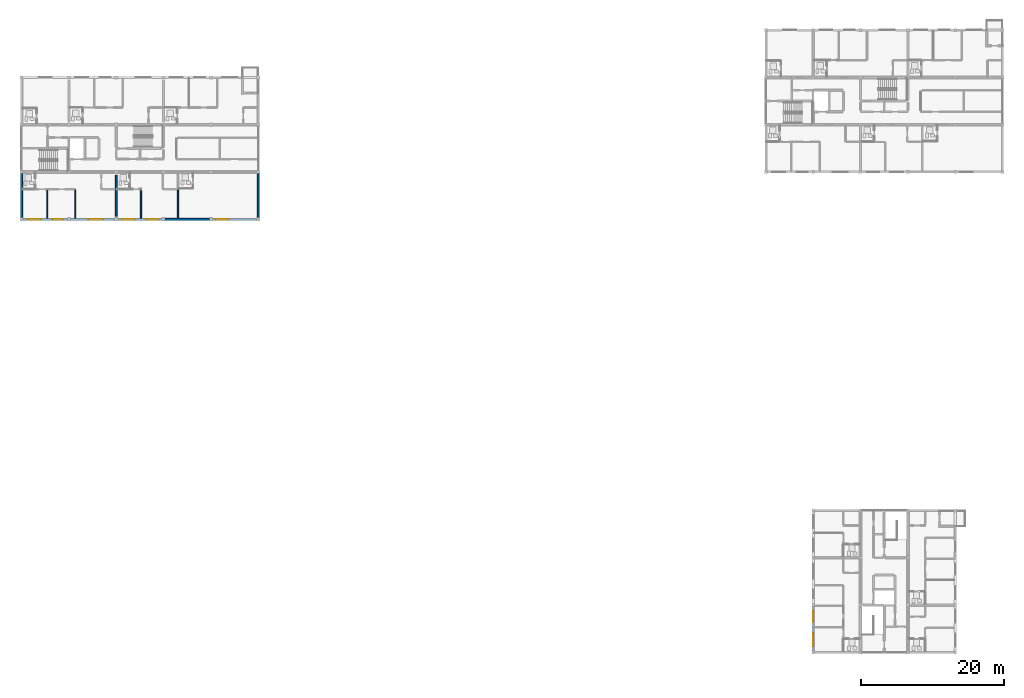
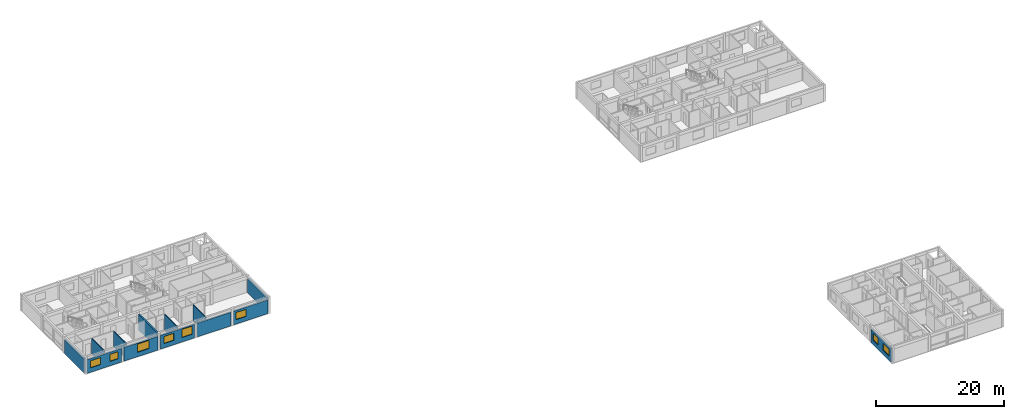
# One storey, part 17 of 34: 13 walls, 8 windows, 8 openings.
"""IFC4 building model written with IfcOpenShell, lengths in metres."""

from ifc_helpers import new_model, si_unit, direction, frame, frame_2d, origin, place, context, subcontext, project, spatial, rectangle, extrude, material, layer, layer_set, type_object, element, fill, save


model = new_model("IFC4")

# Units and contexts
model_context = context("Model", 3, precision=1e-05, world=origin(), true_north=direction((0.0, 1.0)))
body_context = subcontext(model_context, "Body", "Model", "MODEL_VIEW")
ifc_project = project(units=[si_unit("LENGTHUNIT", "METRE"), si_unit("AREAUNIT", "SQUARE_METRE"), si_unit("VOLUMEUNIT", "CUBIC_METRE"), si_unit("PLANEANGLEUNIT", "RADIAN"), si_unit("MASSUNIT", "GRAM", prefix="KILO")], contexts=[model_context])

# Site, building, storey
site_placement = place(None, origin())
site = spatial("IfcSite", under=ifc_project, at=site_placement, CompositionType="ELEMENT")
building_placement = place(site_placement, origin())
building = spatial("IfcBuilding", under=site, at=building_placement, Name="Kernevlak Ridge Housing Community", CompositionType="ELEMENT")
storey_placement = place(building_placement, frame((0.0, 0.0, 40.39990234375)))
storey = spatial("IfcBuildingStorey", under=building, at=storey_placement, Name="L12", CompositionType="ELEMENT", Elevation=40.39990234375)

# Wall, openings, windows
ifc_material_1 = material(Name="Concrete block masonry M10", Category="masonry")
ifc_layer_1 = layer(ifc_material_1, 0.260009765625, Name="Concrete block masonry M10")
ifc_layer_set_1 = layer_set([ifc_layer_1], Name="Concrete block masonry M10")
wall_type_1 = type_object("IfcWallType", Name="EW-05", PredefinedType="STANDARD", material=ifc_layer_set_1)
wall_1_placement = place(storey_placement, frame((15.824951171875, 76.0, 0.0), z_axis=(0.0, 0.0, 1.0), x_axis=(1.0, 0.0, 0.0)))
wall_1 = element("IfcWall", 1, at=wall_1_placement, inside=storey, type_object=wall_type_1, Name="Exterior wall EW-05 L12 189", PredefinedType="STANDARD", context=body_context, shape_type="SweptSolid", body=[
    extrude(rectangle(XDim=6.150146484375, YDim=0.260009765625, at=frame_2d((3.0751953125, 0.0))), origin(), (0.0, 0.0, 1.0), 2.60009765625),
])
opening_1_placement = place(wall_1_placement, frame((0.64990234375, 0.0, 0.85009765625)))
opening_1 = element("IfcOpeningElement", 2, at=opening_1_placement, cuts=wall_1, Name="Opening WT-03", PredefinedType="OPENING", context=body_context, shape_type="SweptSolid", body=[
    extrude(rectangle(XDim=1.800048828125, YDim=1.35009765625, at=frame_2d((0.89990234375, 0.675048828125))), frame((0.0, 0.139892578125, 0.0), z_axis=(0.0, -1.0, 0.0), x_axis=(1.0, 0.0, 0.0)), (0.0, 0.0, 1.0), 0.280029296875),
])
opening_2_placement = place(wall_1_placement, frame((4.074951171875, 0.0, 0.85009765625)))
opening_2 = element("IfcOpeningElement", 3, at=opening_2_placement, cuts=wall_1, Name="Opening WT-02", PredefinedType="OPENING", context=body_context, shape_type="SweptSolid", body=[
    extrude(rectangle(XDim=1.5, YDim=1.35009765625, at=frame_2d((0.75, 0.675048828125))), frame((0.0, 0.139892578125, 0.0), z_axis=(0.0, -1.0, 0.0), x_axis=(1.0, 0.0, 0.0)), (0.0, 0.0, 1.0), 0.280029296875),
])
ifc_material_2 = material(Name="Aluminium EN AW-6060 anodised and laminated glass", Category="aluminium")
window_type_1 = type_object("IfcWindowType", Name="WT-02", PartitioningType="SINGLE_PANEL", PredefinedType="WINDOW", material=ifc_material_2)
window_1_placement = place(opening_2_placement, origin())
window_1 = element("IfcWindow", 4, at=window_1_placement, inside=storey, type_object=window_type_1, Name="Window WT-02 L12 149", OverallHeight=1.35009765625, OverallWidth=1.5, PartitioningType="SINGLE_PANEL", PredefinedType="WINDOW", context=body_context, shape_type="SweptSolid", body=[
    extrude(rectangle(XDim=1.5, YDim=1.35009765625, at=frame_2d((0.75, 0.675048828125))), frame((0.0, 0.030029296875, 0.0), z_axis=(0.0, -1.0, 0.0), x_axis=(1.0, 0.0, 0.0)), (0.0, 0.0, 1.0), 0.06005859375),
])
fill(opening_2, window_1)
window_type_2 = type_object("IfcWindowType", Name="WT-03", PartitioningType="SINGLE_PANEL", PredefinedType="WINDOW", material=ifc_material_2)
window_2_placement = place(opening_1_placement, origin())
window_2 = element("IfcWindow", 5, at=window_2_placement, inside=storey, type_object=window_type_2, Name="Window WT-03 L12 148", OverallHeight=1.35009765625, OverallWidth=1.800048828125, PartitioningType="SINGLE_PANEL", PredefinedType="WINDOW", context=body_context, shape_type="SweptSolid", body=[
    extrude(rectangle(XDim=1.800048828125, YDim=1.35009765625, at=frame_2d((0.89990234375, 0.675048828125))), frame((0.0, 0.030029296875, 0.0), z_axis=(0.0, -1.0, 0.0), x_axis=(1.0, 0.0, 0.0)), (0.0, 0.0, 1.0), 0.06005859375),
])
fill(opening_1, window_2)

# Wall, opening, window
wall_2_placement = place(storey_placement, frame((22.425048828125, 76.0, 0.0), z_axis=(0.0, 0.0, 1.0), x_axis=(1.0, 0.0, 0.0)))
wall_2 = element("IfcWall", 6, at=wall_2_placement, inside=storey, type_object=wall_type_1, Name="Exterior wall EW-05 L12 190", PredefinedType="STANDARD", context=body_context, shape_type="SweptSolid", body=[
    extrude(rectangle(XDim=6.14990234375, YDim=0.260009765625, at=frame_2d((3.074951171875, 0.0))), origin(), (0.0, 0.0, 1.0), 2.60009765625),
])
opening_3_placement = place(wall_2_placement, frame((2.470947265625, 0.0, 0.85009765625)))
opening_3 = element("IfcOpeningElement", 7, at=opening_3_placement, cuts=wall_2, Name="Opening WT-05", PredefinedType="OPENING", context=body_context, shape_type="SweptSolid", body=[
    extrude(rectangle(XDim=2.10009765625, YDim=1.550048828125, at=frame_2d((1.050048828125, 0.77490234375))), frame((0.0, 0.139892578125, 0.0), z_axis=(0.0, -1.0, 0.0), x_axis=(1.0, 0.0, 0.0)), (0.0, 0.0, 1.0), 0.280029296875),
])
window_type_3 = type_object("IfcWindowType", Name="WT-05", PartitioningType="SINGLE_PANEL", PredefinedType="WINDOW", material=ifc_material_2)
window_3_placement = place(opening_3_placement, origin())
window_3 = element("IfcWindow", 8, at=window_3_placement, inside=storey, type_object=window_type_3, Name="Window WT-05 L12 150", OverallHeight=1.550048828125, OverallWidth=2.10009765625, PartitioningType="SINGLE_PANEL", PredefinedType="WINDOW", context=body_context, shape_type="SweptSolid", body=[
    extrude(rectangle(XDim=2.10009765625, YDim=1.550048828125, at=frame_2d((1.050048828125, 0.77490234375))), frame((0.0, 0.030029296875, 0.0), z_axis=(0.0, -1.0, 0.0), x_axis=(1.0, 0.0, 0.0)), (0.0, 0.0, 1.0), 0.06005859375),
])
fill(opening_3, window_3)

# Wall, openings, windows
wall_3_placement = place(storey_placement, frame((29.02490234375, 76.0, 0.0), z_axis=(0.0, 0.0, 1.0), x_axis=(1.0, 0.0, 0.0)))
wall_3 = element("IfcWall", 9, at=wall_3_placement, inside=storey, type_object=wall_type_1, Name="Exterior wall EW-05 L12 191", PredefinedType="STANDARD", context=body_context, shape_type="SweptSolid", body=[
    extrude(rectangle(XDim=6.150146484375, YDim=0.260009765625, at=frame_2d((3.0751953125, 0.0))), origin(), (0.0, 0.0, 1.0), 2.60009765625),
])
opening_4_placement = place(wall_3_placement, frame((0.60009765625, 0.0, 0.85009765625)))
opening_4 = element("IfcOpeningElement", 10, at=opening_4_placement, cuts=wall_3, Name="Opening WT-03", PredefinedType="OPENING", context=body_context, shape_type="SweptSolid", body=[
    extrude(rectangle(XDim=1.800048828125, YDim=1.35009765625, at=frame_2d((0.89990234375, 0.675048828125))), frame((0.0, 0.139892578125, 0.0), z_axis=(0.0, -1.0, 0.0), x_axis=(1.0, 0.0, 0.0)), (0.0, 0.0, 1.0), 0.280029296875),
])
opening_5_placement = place(wall_3_placement, frame((3.925048828125, 0.0, 0.85009765625)))
opening_5 = element("IfcOpeningElement", 11, at=opening_5_placement, cuts=wall_3, Name="Opening WT-04", PredefinedType="OPENING", context=body_context, shape_type="SweptSolid", body=[
    extrude(rectangle(XDim=1.800048828125, YDim=1.550048828125, at=frame_2d((0.89990234375, 0.77490234375))), frame((0.0, 0.139892578125, 0.0), z_axis=(0.0, -1.0, 0.0), x_axis=(1.0, 0.0, 0.0)), (0.0, 0.0, 1.0), 0.280029296875),
])
window_4_placement = place(opening_4_placement, origin())
window_4 = element("IfcWindow", 12, at=window_4_placement, inside=storey, type_object=window_type_2, Name="Window WT-03 L12 151", OverallHeight=1.35009765625, OverallWidth=1.800048828125, PartitioningType="SINGLE_PANEL", PredefinedType="WINDOW", context=body_context, shape_type="SweptSolid", body=[
    extrude(rectangle(XDim=1.800048828125, YDim=1.35009765625, at=frame_2d((0.89990234375, 0.675048828125))), frame((0.0, 0.030029296875, 0.0), z_axis=(0.0, -1.0, 0.0), x_axis=(1.0, 0.0, 0.0)), (0.0, 0.0, 1.0), 0.06005859375),
])
fill(opening_4, window_4)
window_type_4 = type_object("IfcWindowType", Name="WT-04", PartitioningType="SINGLE_PANEL", PredefinedType="WINDOW", material=ifc_material_2)
window_5_placement = place(opening_5_placement, origin())
window_5 = element("IfcWindow", 13, at=window_5_placement, inside=storey, type_object=window_type_4, Name="Window WT-04 L12 152", OverallHeight=1.550048828125, OverallWidth=1.800048828125, PartitioningType="SINGLE_PANEL", PredefinedType="WINDOW", context=body_context, shape_type="SweptSolid", body=[
    extrude(rectangle(XDim=1.800048828125, YDim=1.550048828125, at=frame_2d((0.89990234375, 0.77490234375))), frame((0.0, 0.030029296875, 0.0), z_axis=(0.0, -1.0, 0.0), x_axis=(1.0, 0.0, 0.0)), (0.0, 0.0, 1.0), 0.06005859375),
])
fill(opening_5, window_5)

# Wall
wall_4_placement = place(storey_placement, frame((35.625, 76.0, 0.0), z_axis=(0.0, 0.0, 1.0), x_axis=(1.0, 0.0, 0.0)))
element("IfcWall", 14, at=wall_4_placement, inside=storey, type_object=wall_type_1, Name="Exterior wall EW-05 L12 192", PredefinedType="STANDARD", context=body_context, shape_type="SweptSolid", body=[
    extrude(rectangle(XDim=6.14990234375, YDim=0.260009765625, at=frame_2d((3.074951171875, 0.0))), origin(), (0.0, 0.0, 1.0), 2.60009765625),
])

# Wall, opening, window
wall_5_placement = place(storey_placement, frame((42.22509765625, 76.0, 0.0), z_axis=(0.0, 0.0, 1.0), x_axis=(1.0, 0.0, 0.0)))
wall_5 = element("IfcWall", 15, at=wall_5_placement, inside=storey, type_object=wall_type_1, Name="Exterior wall EW-05 L12 193", PredefinedType="STANDARD", context=body_context, shape_type="SweptSolid", body=[
    extrude(rectangle(XDim=6.14990234375, YDim=0.260009765625, at=frame_2d((3.074951171875, 0.0))), origin(), (0.0, 0.0, 1.0), 2.60009765625),
])
opening_6_placement = place(wall_5_placement, frame((0.425048828125, 0.0, 0.85009765625)))
opening_6 = element("IfcOpeningElement", 16, at=opening_6_placement, cuts=wall_5, Name="Opening WT-03", PredefinedType="OPENING", context=body_context, shape_type="SweptSolid", body=[
    extrude(rectangle(XDim=1.800048828125, YDim=1.35009765625, at=frame_2d((0.89990234375, 0.675048828125))), frame((0.0, 0.139892578125, 0.0), z_axis=(0.0, -1.0, 0.0), x_axis=(1.0, 0.0, 0.0)), (0.0, 0.0, 1.0), 0.280029296875),
])
window_6_placement = place(opening_6_placement, origin())
window_6 = element("IfcWindow", 17, at=window_6_placement, inside=storey, type_object=window_type_2, Name="Window WT-03 L12 153", OverallHeight=1.35009765625, OverallWidth=1.800048828125, PartitioningType="SINGLE_PANEL", PredefinedType="WINDOW", context=body_context, shape_type="SweptSolid", body=[
    extrude(rectangle(XDim=1.800048828125, YDim=1.35009765625, at=frame_2d((0.89990234375, 0.675048828125))), frame((0.0, 0.030029296875, 0.0), z_axis=(0.0, -1.0, 0.0), x_axis=(1.0, 0.0, 0.0)), (0.0, 0.0, 1.0), 0.06005859375),
])
fill(opening_6, window_6)

# Walls
for number, where, z_axis, x_axis, name in (
    (18, (15.60009765625, 76.22509765625, 0.0), (0.0, 0.0, 1.0), (0.0, 1.0, 0.0), "Exterior wall EW-05 L12 201"),
    (19, (48.60009765625, 76.22509765625, 0.0), (0.0, 0.0, 1.0), (0.0, 1.0, 0.0), "Exterior wall EW-05 L12 203"),
):
    element("IfcWall", number, at=place(storey_placement, frame(where, z_axis=z_axis, x_axis=x_axis)), inside=storey, type_object=wall_type_1, Name=name, PredefinedType="STANDARD", context=body_context, shape_type="SweptSolid", body=[
        extrude(rectangle(XDim=6.14990234375, YDim=0.260009765625, at=frame_2d((3.074951171875, 0.0))), origin(), (0.0, 0.0, 1.0), 2.650146484375),
    ])

# Wall, openings, windows
wall_6_placement = place(storey_placement, frame((126.0, 15.800048828125, 0.0), z_axis=(0.0, 0.0, 1.0), x_axis=(0.0, 1.0, 0.0)))
wall_6 = element("IfcWall", 20, at=wall_6_placement, inside=storey, type_object=wall_type_1, Name="Exterior wall EW-05 L12 697", PredefinedType="STANDARD", context=body_context, shape_type="SweptSolid", body=[
    extrude(rectangle(XDim=6.199951171875, YDim=0.260009765625, at=frame_2d((3.10009765625, 0.0))), origin(), (0.0, 0.0, 1.0), 2.60009765625),
])
opening_7_placement = place(wall_6_placement, frame((0.64990234375, 0.0, 0.85009765625)))
opening_7 = element("IfcOpeningElement", 21, at=opening_7_placement, cuts=wall_6, Name="Opening WT-03", PredefinedType="OPENING", context=body_context, shape_type="SweptSolid", body=[
    extrude(rectangle(XDim=1.800048828125, YDim=1.35009765625, at=frame_2d((0.89990234375, 0.675048828125))), frame((0.0, 0.139892578125, 0.0), z_axis=(0.0, -1.0, 0.0), x_axis=(1.0, 0.0, 0.0)), (0.0, 0.0, 1.0), 0.280029296875),
])
opening_8_placement = place(wall_6_placement, frame((4.050048828125, 0.0, 0.85009765625)))
opening_8 = element("IfcOpeningElement", 22, at=opening_8_placement, cuts=wall_6, Name="Opening WT-02", PredefinedType="OPENING", context=body_context, shape_type="SweptSolid", body=[
    extrude(rectangle(XDim=1.5, YDim=1.35009765625, at=frame_2d((0.75, 0.675048828125))), frame((0.0, 0.139892578125, 0.0), z_axis=(0.0, -1.0, 0.0), x_axis=(1.0, 0.0, 0.0)), (0.0, 0.0, 1.0), 0.280029296875),
])
window_7_placement = place(opening_8_placement, origin())
window_7 = element("IfcWindow", 23, at=window_7_placement, inside=storey, type_object=window_type_1, Name="Window WT-02 L12 568", OverallHeight=1.35009765625, OverallWidth=1.5, PartitioningType="SINGLE_PANEL", PredefinedType="WINDOW", context=body_context, shape_type="SweptSolid", body=[
    extrude(rectangle(XDim=1.5, YDim=1.35009765625, at=frame_2d((0.75, 0.675048828125))), frame((0.0, 0.030029296875, 0.0), z_axis=(0.0, -1.0, 0.0), x_axis=(1.0, 0.0, 0.0)), (0.0, 0.0, 1.0), 0.06005859375),
])
fill(opening_8, window_7)
window_8_placement = place(opening_7_placement, origin())
window_8 = element("IfcWindow", 24, at=window_8_placement, inside=storey, type_object=window_type_2, Name="Window WT-03 L12 567", OverallHeight=1.35009765625, OverallWidth=1.800048828125, PartitioningType="SINGLE_PANEL", PredefinedType="WINDOW", context=body_context, shape_type="SweptSolid", body=[
    extrude(rectangle(XDim=1.800048828125, YDim=1.35009765625, at=frame_2d((0.89990234375, 0.675048828125))), frame((0.0, 0.030029296875, 0.0), z_axis=(0.0, -1.0, 0.0), x_axis=(1.0, 0.0, 0.0)), (0.0, 0.0, 1.0), 0.06005859375),
])
fill(opening_7, window_8)

# Walls
ifc_layer_2 = layer(ifc_material_1, 0.175048828125, Name="Concrete block masonry M10")
ifc_layer_set_2 = layer_set([ifc_layer_2], Name="Concrete block masonry M10")
wall_type_2 = type_object("IfcWallType", Name="PW-02", PredefinedType="PARTITIONING", material=ifc_layer_set_2)
wall_7_placement = place(storey_placement, frame((37.39990234375, 80.112548828125, 0.0), z_axis=(0.0, 0.0, 1.0), x_axis=(0.0, -1.0, 0.0)))
element("IfcWall", 25, at=wall_7_placement, inside=storey, type_object=wall_type_2, Name="Interior wall PW-02 WAL-INT-L12-0793-S2", PredefinedType="PARTITIONING", context=body_context, shape_type="SweptSolid", body=[
    extrude(rectangle(XDim=3.882568359375, YDim=0.175048828125, at=frame_2d((1.94140625, 0.0))), origin(), (0.0, 0.0, 1.0), 2.97998046875),
])
ifc_layer_3 = layer(ifc_material_1, 0.14501953125, Name="Concrete block masonry M10")
ifc_layer_set_3 = layer_set([ifc_layer_3], Name="Concrete block masonry M10")
wall_type_3 = type_object("IfcWallType", Name="PW-03", PredefinedType="PARTITIONING", material=ifc_layer_set_3)
for number, where, z_axis, x_axis, name in (
    (26, (19.14990234375, 80.117431640625, 0.0), (0.0, 0.0, 1.0), (0.0, -1.0, 0.0), "Interior wall PW-03 WAL-INT-L12-0783"),
    (27, (23.092041015625, 80.117431640625, 0.0), (0.0, 0.0, 1.0), (0.0, -1.0, 0.0), "Interior wall PW-03 WAL-INT-L12-0785"),
):
    element("IfcWall", number, at=place(storey_placement, frame(where, z_axis=z_axis, x_axis=x_axis)), inside=storey, type_object=wall_type_3, Name=name, PredefinedType="PARTITIONING", context=body_context, shape_type="SweptSolid", body=[
        extrude(rectangle(XDim=3.9775390625, YDim=0.14501953125, at=frame_2d((1.98876953125, 0.0))), origin(), (0.0, 0.0, 1.0), 2.97998046875),
    ])
wall_8_placement = place(storey_placement, frame((32.25, 80.1201171875, 0.0), z_axis=(0.0, 0.0, 1.0), x_axis=(0.0, -1.0, 0.0)))
element("IfcWall", 28, at=wall_8_placement, inside=storey, type_object=wall_type_3, Name="Interior wall PW-03 WAL-INT-L12-0792", PredefinedType="PARTITIONING", context=body_context, shape_type="SweptSolid", body=[
    extrude(rectangle(XDim=3.980224609375, YDim=0.14501953125, at=frame_2d((1.990234375, 0.0))), origin(), (0.0, 0.0, 1.0), 2.97998046875),
])
ifc_material_3 = material(Name="Concrete C40/50", Category="concrete")
ifc_layer_4 = layer(ifc_material_3, 0.25, Name="Concrete C40/50")
ifc_layer_set_4 = layer_set([ifc_layer_4], Name="Concrete C40/50")
wall_type_4 = type_object("IfcWallType", Name="SW-03", PredefinedType="SHEAR", material=ifc_layer_set_4)
wall_9_placement = place(storey_placement, frame((28.800048828125, 76.449951171875, 0.0), z_axis=(0.0, 0.0, 1.0), x_axis=(0.0, 1.0, 0.0)))
element("IfcWall", 29, at=wall_9_placement, inside=storey, type_object=wall_type_4, Name="Shear wall SW-03 Block A L12 138", PredefinedType="SHEAR", context=body_context, shape_type="SweptSolid", body=[
    extrude(rectangle(XDim=5.699951171875, YDim=0.25, at=frame_2d((2.85009765625, 0.0))), origin(), (0.0, 0.0, 1.0), 2.97998046875),
])

save(model, "model.ifc")
